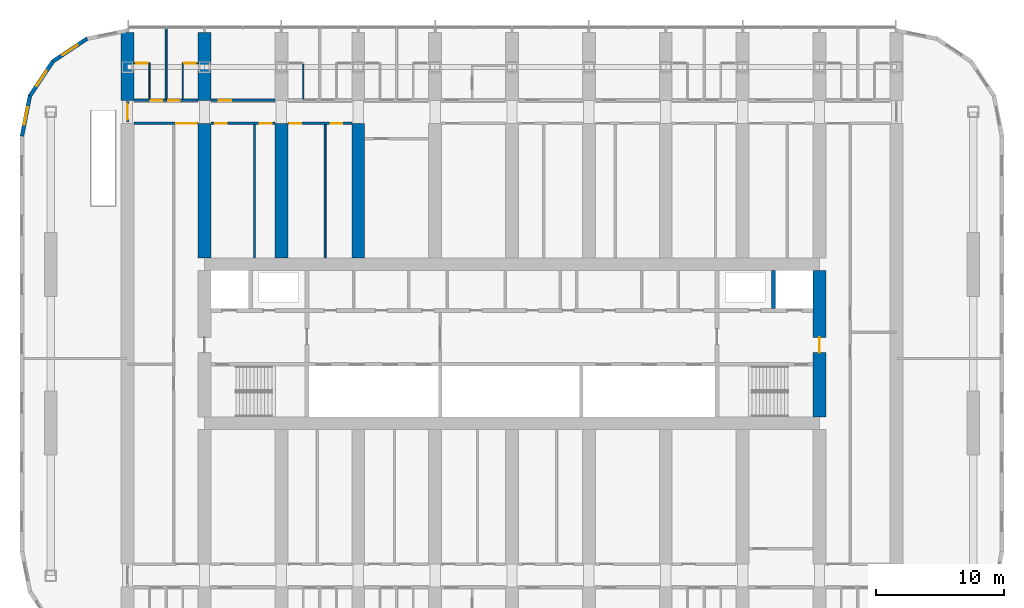
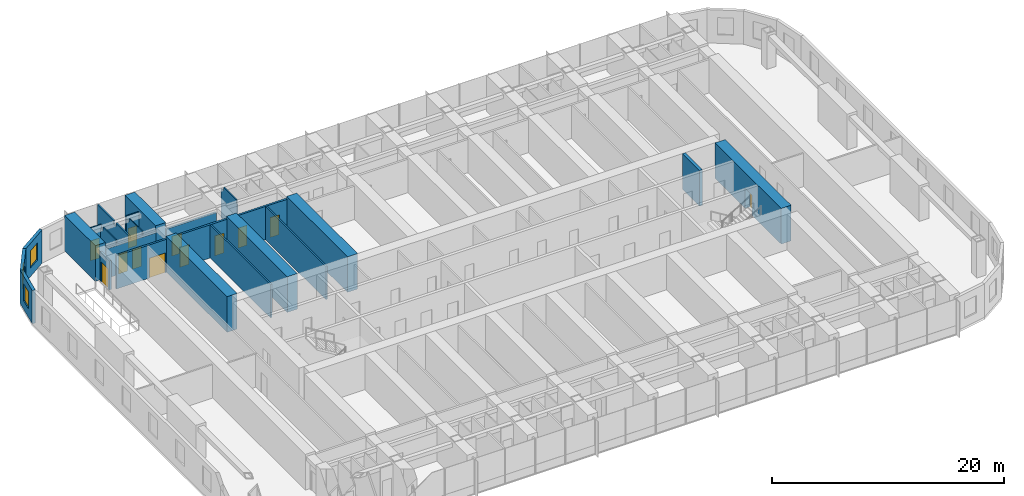
# One storey, part 14 of 23: 24 walls, 12 doors, 3 windows, 15 openings.
"""IFC4 building model written with IfcOpenShell, lengths in metres."""

from ifc_helpers import new_model, si_unit, direction, frame, frame_2d, origin, place, context, subcontext, project, spatial, polyline, rectangle, outline, extrude, material, layer, layer_set, type_object, element, fill, save


model = new_model("IFC4")

# Units and contexts
model_context = context("Model", 3, precision=1e-05, world=origin(), true_north=direction((0.0, 1.0)))
body_context = subcontext(model_context, "Body", "Model", "MODEL_VIEW")
ifc_project = project(units=[si_unit("LENGTHUNIT", "METRE"), si_unit("AREAUNIT", "SQUARE_METRE"), si_unit("VOLUMEUNIT", "CUBIC_METRE"), si_unit("PLANEANGLEUNIT", "RADIAN"), si_unit("MASSUNIT", "GRAM", prefix="KILO")], contexts=[model_context])

# Site, building, storey
site_placement = place(None, origin())
site = spatial("IfcSite", under=ifc_project, at=site_placement, CompositionType="ELEMENT")
building_placement = place(site_placement, origin())
building = spatial("IfcBuilding", under=site, at=building_placement, Name="Orbita Commons", CompositionType="ELEMENT")
storey_placement = place(building_placement, frame((0.0, 0.0, 42.699951171875)))
storey = spatial("IfcBuildingStorey", under=building, at=storey_placement, Name="L10", CompositionType="ELEMENT", Elevation=42.699951171875)

# Wall
ifc_material_1 = material(Name="Concrete C50/60", Category="concrete")
ifc_layer_1 = layer(ifc_material_1, 0.300048828125)
ifc_layer_set_1 = layer_set([ifc_layer_1], Name="Concrete C50/60")
wall_type_1 = type_object("IfcWallType", Name="Core inner wall 300 C50/60", PredefinedType="SHEAR", material=ifc_layer_set_1)
wall_1_placement = place(storey_placement, frame((62.39990234375, 34.75, 0.0), z_axis=(0.0, 0.0, 1.0), x_axis=(0.0, 1.0, 0.0)))
element("IfcWall", 1, at=wall_1_placement, inside=storey, type_object=wall_type_1, Name="Firefighting lift FL2 shaft wall L10", PredefinedType="SHEAR", context=body_context, shape_type="SweptSolid", body=[
    extrude(rectangle(XDim=2.949951171875, YDim=0.300048828125, at=frame_2d((1.47509765625, 0.0))), origin(), (0.0, 0.0, 1.0), 3.75),
])

# Wall, opening, door
ifc_material_2 = material(Name="Concrete C50/60", Category="concrete")
ifc_layer_2 = layer(ifc_material_2, 1.0)
ifc_layer_set_2 = layer_set([ifc_layer_2], Name="Concrete C50/60")
wall_type_2 = type_object("IfcWallType", Name="Core wall 1000 C50/60", PredefinedType="SHEAR", material=ifc_layer_set_2)
wall_2_placement = place(storey_placement, frame((66.0, 26.300048828125, 0.0), z_axis=(0.0, 0.0, 1.0), x_axis=(0.0, 1.0, 0.0)))
wall_2 = element("IfcWall", 2, at=wall_2_placement, inside=storey, type_object=wall_type_2, Name="Core end wall east L10", PredefinedType="SHEAR", context=body_context, shape_type="SweptSolid", body=[
    extrude(rectangle(XDim=11.39990234375, YDim=1.0, at=frame_2d((5.699951171875, 0.0))), origin(), (0.0, 0.0, 1.0), 3.75),
])
opening_1_placement = place(wall_2_placement, frame((5.0, 0.0, 0.0)))
opening_1 = element("IfcOpeningElement", 3, at=opening_1_placement, cuts=wall_2, Name="Opening D01", PredefinedType="OPENING", context=body_context, shape_type="SweptSolid", body=[
    extrude(rectangle(XDim=1.199951171875, YDim=2.10009765625, at=frame_2d((0.60009765625, 1.050048828125))), frame((0.0, 0.510009765625, 0.0), z_axis=(0.0, -1.0, 0.0), x_axis=(1.0, 0.0, 0.0)), (0.0, 0.0, 1.0), 1.02001953125),
])
ifc_material_3 = material(Name="Steel-faced fire door leaf", Category="steel")
door_type_1 = type_object("IfcDoorType", Name="Fire door 90 min 1200x2100", OperationType="SINGLE_SWING_LEFT", PredefinedType="DOOR", material=ifc_material_3)
door_1_placement = place(opening_1_placement, origin())
door_1 = element("IfcDoor", 4, at=door_1_placement, inside=storey, type_object=door_type_1, Name="Firefighting lobby east door", OperationType="SINGLE_SWING_LEFT", OverallHeight=2.10009765625, OverallWidth=1.199951171875, PredefinedType="DOOR", context=body_context, shape_type="SweptSolid", body=[
    extrude(rectangle(XDim=1.199951171875, YDim=2.10009765625, at=frame_2d((0.60009765625, 1.050048828125))), frame((0.0, 0.02490234375, 0.0), z_axis=(0.0, -1.0, 0.0), x_axis=(1.0, 0.0, 0.0)), (0.0, 0.0, 1.0), 0.050048828125),
])
fill(opening_1, door_1)

# Wall, openings, doors
ifc_material_4 = material(Name="Concrete blockwork", Category="masonry")
ifc_layer_3 = layer(ifc_material_4, 0.199951171875)
ifc_layer_set_3 = layer_set([ifc_layer_3], Name="Concrete blockwork")
wall_type_3 = type_object("IfcWallType", Name="Corridor wall 200 blockwork", PredefinedType="SOLIDWALL", material=ifc_layer_set_3)
wall_3_placement = place(storey_placement, frame((12.5, 51.0, 0.0), z_axis=(0.0, 0.0, 1.0), x_axis=(1.0, 0.0, 0.0)))
wall_3 = element("IfcWall", 5, at=wall_3_placement, inside=storey, type_object=wall_type_3, Name="Corridor wall 200 blockwork L10", PredefinedType="SOLIDWALL", context=body_context, shape_type="SweptSolid", body=[
    extrude(outline(polyline([(0.0, 0.0), (5.0, 0.0), (5.0, 3.10009765625), (0.0, 3.10009765625), (0.0, 0.0)])), frame((0.0, 0.10009765625, 0.0), z_axis=(0.0, -1.0, 0.0), x_axis=(1.0, 0.0, 0.0)), (0.0, 0.0, 1.0), 0.199951171875),
])
opening_2_placement = place(wall_3_placement, frame((1.300048828125, 0.0, 0.0)))
opening_2 = element("IfcOpeningElement", 6, at=opening_2_placement, cuts=wall_3, Name="Opening D11", PredefinedType="OPENING", context=body_context, shape_type="SweptSolid", body=[
    extrude(rectangle(XDim=0.89990234375, YDim=2.10009765625, at=frame_2d((0.449951171875, 1.050048828125))), frame((0.0, 0.10986328125, 0.0), z_axis=(0.0, -1.0, 0.0), x_axis=(1.0, 0.0, 0.0)), (0.0, 0.0, 1.0), 0.219970703125),
])
opening_3_placement = place(wall_3_placement, frame((2.675048828125, 0.0, 0.0)))
opening_3 = element("IfcOpeningElement", 7, at=opening_3_placement, cuts=wall_3, Name="Opening D11", PredefinedType="OPENING", context=body_context, shape_type="SweptSolid", body=[
    extrude(rectangle(XDim=0.89990234375, YDim=2.10009765625, at=frame_2d((0.449951171875, 1.050048828125))), frame((0.0, 0.10986328125, 0.0), z_axis=(0.0, -1.0, 0.0), x_axis=(1.0, 0.0, 0.0)), (0.0, 0.0, 1.0), 0.219970703125),
])
ifc_material_5 = material(Name="Steel-faced fire door leaf", Category="steel")
door_type_2 = type_object("IfcDoorType", Name="Corridor door 20 min 900x2100", OperationType="SINGLE_SWING_LEFT", PredefinedType="DOOR", material=ifc_material_5)
door_2_placement = place(opening_2_placement, origin())
door_2 = element("IfcDoor", 8, at=door_2_placement, inside=storey, type_object=door_type_2, Name="House bedroom L10-N00 door", OperationType="SINGLE_SWING_LEFT", OverallHeight=2.10009765625, OverallWidth=0.89990234375, PredefinedType="DOOR", context=body_context, shape_type="SweptSolid", body=[
    extrude(rectangle(XDim=0.89990234375, YDim=2.10009765625, at=frame_2d((0.449951171875, 1.050048828125))), frame((0.0, 0.02490234375, 0.0), z_axis=(0.0, -1.0, 0.0), x_axis=(1.0, 0.0, 0.0)), (0.0, 0.0, 1.0), 0.050048828125),
])
fill(opening_2, door_2)
door_3_placement = place(opening_3_placement, origin())
door_3 = element("IfcDoor", 9, at=door_3_placement, inside=storey, type_object=door_type_2, Name="House bedroom L10-N01 door", OperationType="SINGLE_SWING_LEFT", OverallHeight=2.10009765625, OverallWidth=0.89990234375, PredefinedType="DOOR", context=body_context, shape_type="SweptSolid", body=[
    extrude(rectangle(XDim=0.89990234375, YDim=2.10009765625, at=frame_2d((0.449951171875, 1.050048828125))), frame((0.0, 0.02490234375, 0.0), z_axis=(0.0, -1.0, 0.0), x_axis=(1.0, 0.0, 0.0)), (0.0, 0.0, 1.0), 0.050048828125),
])
fill(opening_3, door_3)

# Wall, opening, door
wall_4_placement = place(storey_placement, frame((18.5, 51.0, 0.0), z_axis=(0.0, 0.0, 1.0), x_axis=(1.0, 0.0, 0.0)))
wall_4 = element("IfcWall", 10, at=wall_4_placement, inside=storey, type_object=wall_type_3, Name="Corridor wall 200 blockwork L10", PredefinedType="SOLIDWALL", context=body_context, shape_type="SweptSolid", body=[
    extrude(outline(polyline([(0.0, 0.0), (5.0, 0.0), (5.0, 3.10009765625), (0.0, 3.10009765625), (0.0, 0.0)])), frame((0.0, 0.10009765625, 0.0), z_axis=(0.0, -1.0, 0.0), x_axis=(1.0, 0.0, 0.0)), (0.0, 0.0, 1.0), 0.199951171875),
])
opening_4_placement = place(wall_4_placement, frame((0.60009765625, 0.0, 0.0)))
opening_4 = element("IfcOpeningElement", 11, at=opening_4_placement, cuts=wall_4, Name="Opening D06", PredefinedType="OPENING", context=body_context, shape_type="SweptSolid", body=[
    extrude(rectangle(XDim=1.0, YDim=2.10009765625, at=frame_2d((0.5, 1.050048828125))), frame((0.0, 0.10986328125, 0.0), z_axis=(0.0, -1.0, 0.0), x_axis=(1.0, 0.0, 0.0)), (0.0, 0.0, 1.0), 0.219970703125),
])
ifc_material_6 = material(Name="Steel-faced fire door leaf", Category="steel")
door_type_3 = type_object("IfcDoorType", Name="Corridor door 20 min 1000x2100", OperationType="SINGLE_SWING_LEFT", PredefinedType="DOOR", material=ifc_material_6)
door_4_placement = place(opening_4_placement, origin())
door_4 = element("IfcDoor", 12, at=door_4_placement, inside=storey, type_object=door_type_3, Name="House common room L10-N02 door", OperationType="SINGLE_SWING_LEFT", OverallHeight=2.10009765625, OverallWidth=1.0, PredefinedType="DOOR", context=body_context, shape_type="SweptSolid", body=[
    extrude(rectangle(XDim=1.0, YDim=2.10009765625, at=frame_2d((0.5, 1.050048828125))), frame((0.0, 0.02490234375, 0.0), z_axis=(0.0, -1.0, 0.0), x_axis=(1.0, 0.0, 0.0)), (0.0, 0.0, 1.0), 0.050048828125),
])
fill(opening_4, door_4)

wall_5_placement = place(storey_placement, frame((12.0, 49.300048828125, 0.0), z_axis=(0.0, 0.0, 1.0), x_axis=(0.0, 1.0, 0.0)))
wall_5 = element("IfcWall", 13, at=wall_5_placement, inside=storey, type_object=wall_type_3, Name="Corridor wall 200 blockwork L10", PredefinedType="SOLIDWALL", context=body_context, shape_type="SweptSolid", body=[
    extrude(outline(polyline([(0.0, 0.0), (1.599853515625, 0.0), (1.60009765625, 3.050048828125), (0.0, 3.050048828125), (0.0, 0.0)])), frame((0.0, 0.10009765625, 0.0), z_axis=(0.0, -1.0, 0.0), x_axis=(1.0, 0.0, 0.0)), (0.0, 0.0, 1.0), 0.199951171875),
])
opening_5_placement = place(wall_5_placement, frame((0.199951171875, 0.0, 0.0)))
opening_5 = element("IfcOpeningElement", 14, at=opening_5_placement, cuts=wall_5, Name="Opening D12", PredefinedType="OPENING", context=body_context, shape_type="SweptSolid", body=[
    extrude(rectangle(XDim=1.199951171875, YDim=2.10009765625, at=frame_2d((0.60009765625, 1.050048828125))), frame((0.0, 0.10986328125, 0.0), z_axis=(0.0, -1.0, 0.0), x_axis=(1.0, 0.0, 0.0)), (0.0, 0.0, 1.0), 0.219970703125),
])
ifc_material_7 = material(Name="Steel-faced fire door leaf", Category="steel")
door_type_4 = type_object("IfcDoorType", Name="Double corridor door 20 min 1200x2100", OperationType="DOUBLE_DOOR_SINGLE_SWING", PredefinedType="DOOR", material=ifc_material_7)
door_5_placement = place(opening_5_placement, origin())
door_5 = element("IfcDoor", 15, at=door_5_placement, inside=storey, type_object=door_type_4, Name="Lounge doors", OperationType="DOUBLE_DOOR_SINGLE_SWING", OverallHeight=2.10009765625, OverallWidth=1.199951171875, PredefinedType="DOOR", context=body_context, shape_type="SweptSolid", body=[
    extrude(rectangle(XDim=1.199951171875, YDim=2.10009765625, at=frame_2d((0.60009765625, 1.050048828125))), frame((0.0, 0.02490234375, 0.0), z_axis=(0.0, -1.0, 0.0), x_axis=(1.0, 0.0, 0.0)), (0.0, 0.0, 1.0), 0.050048828125),
])
fill(opening_5, door_5)

ifc_material_8 = material(Name="Hollow concrete block 200", Category="concrete")
ifc_layer_4 = layer(ifc_material_8, 0.199951171875)
ifc_layer_set_4 = layer_set([ifc_layer_4], Name="Hollow concrete block 200")
wall_type_4 = type_object("IfcWallType", Name="Corridor wall 200 hollow concrete block", PredefinedType="SOLIDWALL", material=ifc_layer_set_4)
wall_6_placement = place(storey_placement, frame((12.5, 49.199951171875, 0.0), z_axis=(0.0, 0.0, 1.0), x_axis=(1.0, 0.0, 0.0)))
wall_6 = element("IfcWall", 16, at=wall_6_placement, inside=storey, type_object=wall_type_4, Name="Corridor wall 200 hollow concrete block L10", PredefinedType="SOLIDWALL", context=body_context, shape_type="SweptSolid", body=[
    extrude(rectangle(XDim=5.0, YDim=0.199951171875, at=frame_2d((2.5, 0.0))), origin(), (0.0, 0.0, 1.0), 3.5),
])
opening_6_placement = place(wall_6_placement, frame((3.300048828125, 0.0, 0.0)))
opening_6 = element("IfcOpeningElement", 17, at=opening_6_placement, cuts=wall_6, Name="Opening D10", PredefinedType="OPENING", context=body_context, shape_type="SweptSolid", body=[
    extrude(rectangle(XDim=1.60009765625, YDim=2.10009765625, at=frame_2d((0.800048828125, 1.050048828125))), frame((0.0, 0.10986328125, 0.0), z_axis=(0.0, -1.0, 0.0), x_axis=(1.0, 0.0, 0.0)), (0.0, 0.0, 1.0), 0.219970703125),
])
ifc_material_9 = material(Name="Steel-faced fire door leaf", Category="steel")
door_type_5 = type_object("IfcDoorType", Name="Double corridor door 20 min 1600x2100", OperationType="DOUBLE_DOOR_SINGLE_SWING", PredefinedType="DOOR", material=ifc_material_9)
door_6_placement = place(opening_6_placement, origin())
door_6 = element("IfcDoor", 18, at=door_6_placement, inside=storey, type_object=door_type_5, Name="Cross corridor doors", OperationType="DOUBLE_DOOR_SINGLE_SWING", OverallHeight=2.10009765625, OverallWidth=1.60009765625, PredefinedType="DOOR", context=body_context, shape_type="SweptSolid", body=[
    extrude(rectangle(XDim=1.60009765625, YDim=2.10009765625, at=frame_2d((0.800048828125, 1.050048828125))), frame((0.0, 0.02490234375, 0.0), z_axis=(0.0, -1.0, 0.0), x_axis=(1.0, 0.0, 0.0)), (0.0, 0.0, 1.0), 0.050048828125),
])
fill(opening_6, door_6)

# Wall, openings, doors
wall_7_placement = place(storey_placement, frame((18.5, 49.199951171875, 0.0), z_axis=(0.0, 0.0, 1.0), x_axis=(1.0, 0.0, 0.0)))
wall_7 = element("IfcWall", 19, at=wall_7_placement, inside=storey, type_object=wall_type_4, Name="Corridor wall 200 hollow concrete block L10", PredefinedType="SOLIDWALL", context=body_context, shape_type="SweptSolid", body=[
    extrude(rectangle(XDim=5.0, YDim=0.199951171875, at=frame_2d((2.5, 0.0))), origin(), (0.0, 0.0, 1.0), 3.5),
])
opening_7_placement = place(wall_7_placement, frame((0.35009765625, 0.0, 0.0)))
opening_7 = element("IfcOpeningElement", 20, at=opening_7_placement, cuts=wall_7, Name="Opening D11", PredefinedType="OPENING", context=body_context, shape_type="SweptSolid", body=[
    extrude(rectangle(XDim=0.89990234375, YDim=2.10009765625, at=frame_2d((0.449951171875, 1.050048828125))), frame((0.0, 0.10986328125, 0.0), z_axis=(0.0, -1.0, 0.0), x_axis=(1.0, 0.0, 0.0)), (0.0, 0.0, 1.0), 0.219970703125),
])
opening_8_placement = place(wall_7_placement, frame((3.830078125, 0.0, 0.0)))
opening_8 = element("IfcOpeningElement", 21, at=opening_8_placement, cuts=wall_7, Name="Opening D11", PredefinedType="OPENING", context=body_context, shape_type="SweptSolid", body=[
    extrude(rectangle(XDim=0.89990234375, YDim=2.10009765625, at=frame_2d((0.449951171875, 1.050048828125))), frame((0.0, 0.10986328125, 0.0), z_axis=(0.0, -1.0, 0.0), x_axis=(1.0, 0.0, 0.0)), (0.0, 0.0, 1.0), 0.219970703125),
])
door_7_placement = place(opening_7_placement, origin())
door_7 = element("IfcDoor", 22, at=door_7_placement, inside=storey, type_object=door_type_2, Name="Storage lockers L10-BDN18 door", OperationType="SINGLE_SWING_LEFT", OverallHeight=2.10009765625, OverallWidth=0.89990234375, PredefinedType="DOOR", context=body_context, shape_type="SweptSolid", body=[
    extrude(rectangle(XDim=0.89990234375, YDim=2.10009765625, at=frame_2d((0.449951171875, 1.050048828125))), frame((0.0, 0.02490234375, 0.0), z_axis=(0.0, -1.0, 0.0), x_axis=(1.0, 0.0, 0.0)), (0.0, 0.0, 1.0), 0.050048828125),
])
fill(opening_7, door_7)
door_8_placement = place(opening_8_placement, origin())
door_8 = element("IfcDoor", 23, at=door_8_placement, inside=storey, type_object=door_type_2, Name="Battery and UPS room L10-BDN18n door", OperationType="SINGLE_SWING_LEFT", OverallHeight=2.10009765625, OverallWidth=0.89990234375, PredefinedType="DOOR", context=body_context, shape_type="SweptSolid", body=[
    extrude(rectangle(XDim=0.89990234375, YDim=2.10009765625, at=frame_2d((0.449951171875, 1.050048828125))), frame((0.0, 0.02490234375, 0.0), z_axis=(0.0, -1.0, 0.0), x_axis=(1.0, 0.0, 0.0)), (0.0, 0.0, 1.0), 0.050048828125),
])
fill(opening_8, door_8)

wall_8_placement = place(storey_placement, frame((24.5, 49.199951171875, 0.0), z_axis=(0.0, 0.0, 1.0), x_axis=(1.0, 0.0, 0.0)))
wall_8 = element("IfcWall", 24, at=wall_8_placement, inside=storey, type_object=wall_type_4, Name="Corridor wall 200 hollow concrete block L10", PredefinedType="SOLIDWALL", context=body_context, shape_type="SweptSolid", body=[
    extrude(rectangle(XDim=5.0, YDim=0.199951171875, at=frame_2d((2.5, 0.0))), origin(), (0.0, 0.0, 1.0), 3.5),
])
opening_9_placement = place(wall_8_placement, frame((0.14990234375, 0.0, 0.0)))
opening_9 = element("IfcOpeningElement", 25, at=opening_9_placement, cuts=wall_8, Name="Opening D11", PredefinedType="OPENING", context=body_context, shape_type="SweptSolid", body=[
    extrude(rectangle(XDim=0.89990234375, YDim=2.10009765625, at=frame_2d((0.449951171875, 1.050048828125))), frame((0.0, 0.10986328125, 0.0), z_axis=(0.0, -1.0, 0.0), x_axis=(1.0, 0.0, 0.0)), (0.0, 0.0, 1.0), 0.219970703125),
])
opening_10_placement = place(wall_8_placement, frame((3.3349609375, 0.0, 0.0)))
opening_10 = element("IfcOpeningElement", 26, at=opening_10_placement, cuts=wall_8, Name="Opening D11", PredefinedType="OPENING", context=body_context, shape_type="SweptSolid", body=[
    extrude(rectangle(XDim=0.89990234375, YDim=2.10009765625, at=frame_2d((0.449951171875, 1.050048828125))), frame((0.0, 0.10986328125, 0.0), z_axis=(0.0, -1.0, 0.0), x_axis=(1.0, 0.0, 0.0)), (0.0, 0.0, 1.0), 0.219970703125),
])
door_9_placement = place(opening_9_placement, origin())
door_9 = element("IfcDoor", 27, at=door_9_placement, inside=storey, type_object=door_type_2, Name="Ventilation plant room south L10-BDN24 door", OperationType="SINGLE_SWING_LEFT", OverallHeight=2.10009765625, OverallWidth=0.89990234375, PredefinedType="DOOR", context=body_context, shape_type="SweptSolid", body=[
    extrude(rectangle(XDim=0.89990234375, YDim=2.10009765625, at=frame_2d((0.449951171875, 1.050048828125))), frame((0.0, 0.02490234375, 0.0), z_axis=(0.0, -1.0, 0.0), x_axis=(1.0, 0.0, 0.0)), (0.0, 0.0, 1.0), 0.050048828125),
])
fill(opening_9, door_9)
door_10_placement = place(opening_10_placement, origin())
door_10 = element("IfcDoor", 28, at=door_10_placement, inside=storey, type_object=door_type_2, Name="Sprinkler valve room L10-BDN24n door", OperationType="SINGLE_SWING_LEFT", OverallHeight=2.10009765625, OverallWidth=0.89990234375, PredefinedType="DOOR", context=body_context, shape_type="SweptSolid", body=[
    extrude(rectangle(XDim=0.89990234375, YDim=2.10009765625, at=frame_2d((0.449951171875, 1.050048828125))), frame((0.0, 0.02490234375, 0.0), z_axis=(0.0, -1.0, 0.0), x_axis=(1.0, 0.0, 0.0)), (0.0, 0.0, 1.0), 0.050048828125),
])
fill(opening_10, door_10)

# Walls
ifc_material_10 = material(Name="Concrete C50/60", Category="concrete")
ifc_layer_5 = layer(ifc_material_10, 1.0)
ifc_layer_set_5 = layer_set([ifc_layer_5], Name="Concrete C50/60")
wall_type_5 = type_object("IfcWallType", Name="Cross wall 1000 C50/60", PredefinedType="SHEAR", material=ifc_layer_set_5)
for number, where, z_axis, x_axis, name in (
    (29, (12.0, 51.0, 0.0), (0.0, 0.0, 1.0), (0.0, 1.0, 0.0), "Cross wall 3 north outer L10"),
    (30, (18.0, 51.0, 0.0), (0.0, 0.0, 1.0), (0.0, 1.0, 0.0), "Cross wall 4 north outer L10"),
):
    element("IfcWall", number, at=place(storey_placement, frame(where, z_axis=z_axis, x_axis=x_axis)), inside=storey, type_object=wall_type_5, Name=name, PredefinedType="SHEAR", context=body_context, shape_type="SweptSolid", body=[
        extrude(rectangle(XDim=5.300048828125, YDim=1.0, at=frame_2d((2.64990234375, 0.0))), origin(), (0.0, 0.0, 1.0), 3.75),
    ])
for number, where, z_axis, x_axis, name in (
    (31, (18.0, 38.699951171875, 0.0), (0.0, 0.0, 1.0), (0.0, 1.0, 0.0), "Cross wall 4 north inner L10"),
    (32, (24.0, 38.699951171875, 0.0), (0.0, 0.0, 1.0), (0.0, 1.0, 0.0), "Cross wall 5 north inner L10"),
    (33, (30.0, 38.699951171875, 0.0), (0.0, 0.0, 1.0), (0.0, 1.0, 0.0), "Cross wall 6 north inner L10"),
):
    element("IfcWall", number, at=place(storey_placement, frame(where, z_axis=z_axis, x_axis=x_axis)), inside=storey, type_object=wall_type_5, Name=name, PredefinedType="SHEAR", context=body_context, shape_type="SweptSolid", body=[
        extrude(rectangle(XDim=10.5, YDim=1.0, at=frame_2d((5.25, 0.0))), origin(), (0.0, 0.0, 1.0), 3.75),
    ])

# Wall, opening, door
ifc_material_11 = material(Name="Moisture-resistant plasterboard on steel studs", Category="steel")
ifc_layer_6 = layer(ifc_material_11, 0.10009765625)
ifc_layer_set_6 = layer_set([ifc_layer_6], Name="Moisture-resistant plasterboard on steel studs")
wall_type_6 = type_object("IfcWallType", Name="En-suite partition 100", PredefinedType="PARTITIONING", material=ifc_layer_set_6)
wall_9_placement = place(storey_placement, frame((12.449951171875, 53.89990234375, 0.0), z_axis=(0.0, 0.0, 1.0), x_axis=(1.0, 0.0, 0.0)))
wall_9 = element("IfcWall", 34, at=wall_9_placement, inside=storey, type_object=wall_type_6, Name="En-suite partition 100 L10", PredefinedType="PARTITIONING", context=body_context, shape_type="SweptSolid", body=[
    extrude(rectangle(XDim=1.300048828125, YDim=0.10009765625, at=frame_2d((0.64990234375, 0.0))), origin(), (0.0, 0.0, 1.0), 3.5),
])
opening_11_placement = place(wall_9_placement, frame((0.22509765625, 0.0, 0.0)))
opening_11 = element("IfcOpeningElement", 35, at=opening_11_placement, cuts=wall_9, Name="Opening D09", PredefinedType="OPENING", context=body_context, shape_type="SweptSolid", body=[
    extrude(rectangle(XDim=0.89990234375, YDim=2.10009765625, at=frame_2d((0.449951171875, 1.050048828125))), frame((0.0, 0.06005859375, 0.0), z_axis=(0.0, -1.0, 0.0), x_axis=(1.0, 0.0, 0.0)), (0.0, 0.0, 1.0), 0.1201171875),
])
ifc_material_12 = material(Name="Laminated timber door leaf", Category="wood")
door_type_6 = type_object("IfcDoorType", Name="En-suite door 900x2100", OperationType="SINGLE_SWING_RIGHT", PredefinedType="DOOR", material=ifc_material_12)
door_11_placement = place(opening_11_placement, origin())
door_11 = element("IfcDoor", 36, at=door_11_placement, inside=storey, type_object=door_type_6, Name="En-suite L10-N00 door", OperationType="SINGLE_SWING_RIGHT", OverallHeight=2.10009765625, OverallWidth=0.89990234375, PredefinedType="DOOR", context=body_context, shape_type="SweptSolid", body=[
    extrude(rectangle(XDim=0.89990234375, YDim=2.10009765625, at=frame_2d((0.449951171875, 1.050048828125))), frame((0.0, 0.02490234375, 0.0), z_axis=(0.0, -1.0, 0.0), x_axis=(1.0, 0.0, 0.0)), (0.0, 0.0, 1.0), 0.050048828125),
])
fill(opening_11, door_11)

# Wall
wall_10_placement = place(storey_placement, frame((13.699951171875, 53.85009765625, 0.0), z_axis=(0.0, 0.0, 1.0), x_axis=(0.0, -1.0, 0.0)))
element("IfcWall", 37, at=wall_10_placement, inside=storey, type_object=wall_type_6, Name="En-suite partition 100 L10", PredefinedType="PARTITIONING", context=body_context, shape_type="SweptSolid", body=[
    extrude(outline(polyline([(0.0, 0.0), (2.75, 0.0), (2.75, 3.10009765625), (2.701904296875, 3.10009765625), (2.699951171875, 3.5), (0.451904296875, 3.5), (0.449951171875, 3.10009765625), (0.0, 3.10009765625), (0.0, 0.0)])), frame((0.0, 0.050048828125, 0.0), z_axis=(0.0, -1.0, 0.0), x_axis=(1.0, 0.0, 0.0)), (0.0, 0.0, 1.0), 0.10009765625),
])

# Wall, opening, door
wall_11_placement = place(storey_placement, frame((16.25, 53.89990234375, 0.0), z_axis=(0.0, 0.0, 1.0), x_axis=(1.0, 0.0, 0.0)))
wall_11 = element("IfcWall", 38, at=wall_11_placement, inside=storey, type_object=wall_type_6, Name="En-suite partition 100 L10", PredefinedType="PARTITIONING", context=body_context, shape_type="SweptSolid", body=[
    extrude(rectangle(XDim=1.300048828125, YDim=0.10009765625, at=frame_2d((0.64990234375, 0.0))), origin(), (0.0, 0.0, 1.0), 3.5),
])
opening_12_placement = place(wall_11_placement, frame((0.175048828125, 0.0, 0.0)))
opening_12 = element("IfcOpeningElement", 39, at=opening_12_placement, cuts=wall_11, Name="Opening D09", PredefinedType="OPENING", context=body_context, shape_type="SweptSolid", body=[
    extrude(rectangle(XDim=0.89990234375, YDim=2.10009765625, at=frame_2d((0.449951171875, 1.050048828125))), frame((0.0, 0.06005859375, 0.0), z_axis=(0.0, -1.0, 0.0), x_axis=(1.0, 0.0, 0.0)), (0.0, 0.0, 1.0), 0.1201171875),
])
door_12_placement = place(opening_12_placement, origin())
door_12 = element("IfcDoor", 40, at=door_12_placement, inside=storey, type_object=door_type_6, Name="En-suite L10-N01 door", OperationType="SINGLE_SWING_RIGHT", OverallHeight=2.10009765625, OverallWidth=0.89990234375, PredefinedType="DOOR", context=body_context, shape_type="SweptSolid", body=[
    extrude(rectangle(XDim=0.89990234375, YDim=2.10009765625, at=frame_2d((0.449951171875, 1.050048828125))), frame((0.0, 0.02490234375, 0.0), z_axis=(0.0, -1.0, 0.0), x_axis=(1.0, 0.0, 0.0)), (0.0, 0.0, 1.0), 0.050048828125),
])
fill(opening_12, door_12)

# Walls
for number, where, z_axis, x_axis, name in (
    (41, (16.300048828125, 53.85009765625, 0.0), (0.0, 0.0, 1.0), (0.0, -1.0, 0.0), "En-suite partition 100 L10"),
    (42, (25.699951171875, 53.85009765625, 0.0), (0.0, 0.0, 1.0), (0.0, -1.0, 0.0), "En-suite partition 100 L10"),
):
    element("IfcWall", number, at=place(storey_placement, frame(where, z_axis=z_axis, x_axis=x_axis)), inside=storey, type_object=wall_type_6, Name=name, PredefinedType="PARTITIONING", context=body_context, shape_type="SweptSolid", body=[
        extrude(outline(polyline([(0.0, 0.0), (2.75, 0.0), (2.75, 3.10009765625), (2.701904296875, 3.10009765625), (2.699951171875, 3.5), (0.451904296875, 3.5), (0.449951171875, 3.10009765625), (0.0, 3.10009765625), (0.0, 0.0)])), frame((0.0, 0.050048828125, 0.0), z_axis=(0.0, -1.0, 0.0), x_axis=(1.0, 0.0, 0.0)), (0.0, 0.0, 1.0), 0.10009765625),
    ])
ifc_material_13 = material(Name="Gypsum plasterboard on steel studs", Category="steel")
ifc_layer_7 = layer(ifc_material_13, 0.14990234375)
ifc_layer_set_7 = layer_set([ifc_layer_7], Name="Gypsum plasterboard on steel studs")
wall_type_7 = type_object("IfcWallType", Name="Partition 150 plasterboard", PredefinedType="PARTITIONING", material=ifc_layer_set_7)
for number, where, z_axis, x_axis, name in (
    (43, (21.905029296875, 38.699951171875, 0.0), (0.0, 0.0, 1.0), (0.0, 1.0, 0.0), "Partition 150 plasterboard L10"),
    (44, (27.409912109375, 38.699951171875, 0.0), (0.0, 0.0, 1.0), (0.0, 1.0, 0.0), "Partition 150 plasterboard L10"),
):
    element("IfcWall", number, at=place(storey_placement, frame(where, z_axis=z_axis, x_axis=x_axis)), inside=storey, type_object=wall_type_7, Name=name, PredefinedType="PARTITIONING", context=body_context, shape_type="SweptSolid", body=[
        extrude(rectangle(XDim=10.400146484375, YDim=0.14990234375, at=frame_2d((5.2001953125, 0.0))), origin(), (0.0, 0.0, 1.0), 3.5),
    ])
ifc_material_14 = material(Name="Gypsum plasterboard on steel studs", Category="steel")
ifc_layer_8 = layer(ifc_material_14, 0.14990234375)
ifc_layer_set_8 = layer_set([ifc_layer_8], Name="Gypsum plasterboard on steel studs")
wall_type_8 = type_object("IfcWallType", Name="Party wall 150 plasterboard", PredefinedType="PARTITIONING", material=ifc_layer_set_8)
wall_12_placement = place(storey_placement, frame((15.0, 56.590087890625, 0.0), z_axis=(0.0, 0.0, 1.0), x_axis=(0.0, -1.0, 0.0)))
element("IfcWall", 45, at=wall_12_placement, inside=storey, type_object=wall_type_8, Name="Party wall 150 plasterboard L10", PredefinedType="PARTITIONING", context=body_context, shape_type="SweptSolid", body=[
    extrude(outline(polyline([(0.0, 0.0), (5.489990234375, 0.0), (5.489990234375, 3.10009765625), (5.44189453125, 3.10009765625), (5.43994140625, 3.5), (3.19189453125, 3.5), (3.18994140625, 3.10009765625), (2.7919921875, 3.10009765625), (2.7900390625, 3.5), (0.0, 3.5), (0.0, 0.0)])), frame((0.0, 0.074951171875, 0.0), z_axis=(0.0, -1.0, 0.0), x_axis=(1.0, 0.0, 0.0)), (0.0, 0.0, 1.0), 0.14990234375),
])

# Wall, opening, window
ifc_material_15 = material(Name="Precast concrete C40/50, white board-marked finish", Category="concrete")
ifc_layer_9 = layer(ifc_material_15, 0.300048828125)
ifc_layer_set_9 = layer_set([ifc_layer_9], Name="Precast concrete C40/50, white board-marked finish")
wall_type_9 = type_object("IfcWallType", Name="Precast concrete end shield 300", PredefinedType="SOLIDWALL", material=ifc_layer_set_9)
wall_13_placement = place(storey_placement, frame((8.843017578125, 55.822021484375, 0.0), z_axis=(0.0, 0.0, 1.0), x_axis=(-0.831478105043, -0.555557522525, 0.0)))
wall_13 = element("IfcWall", 46, at=wall_13_placement, inside=storey, type_object=wall_type_9, Name="End shield NW chord 2 L10", PredefinedType="SOLIDWALL", context=body_context, shape_type="SweptSolid", body=[
    extrude(outline(polyline([(-0.02978515625, -0.14990234375), (3.248779296875, -0.14990234375), (3.189208984375, 0.14990234375), (0.02978515625, 0.14990234375), (-0.02978515625, -0.14990234375)])), origin(), (0.0, 0.0, 1.0), 3.5),
])
opening_13_placement = place(wall_13_placement, frame((0.909423828125, 0.0, 0.89990234375)))
opening_13 = element("IfcOpeningElement", 47, at=opening_13_placement, cuts=wall_13, Name="Opening W02", PredefinedType="OPENING", context=body_context, shape_type="SweptSolid", body=[
    extrude(rectangle(XDim=1.39990234375, YDim=1.800048828125, at=frame_2d((0.699951171875, 0.89990234375))), frame((0.0, 0.159912109375, 0.0), z_axis=(0.0, -1.0, 0.0), x_axis=(1.0, 0.0, 0.0)), (0.0, 0.0, 1.0), 0.320068359375),
])
ifc_material_16 = material(Name="Aluminium frame, clear double glazing", Category="aluminium")
window_type = type_object("IfcWindowType", Name="Deep-set window 1400x1800", PartitioningType="SINGLE_PANEL", PredefinedType="WINDOW", material=ifc_material_16)
window_1_placement = place(opening_13_placement, origin())
window_1 = element("IfcWindow", 48, at=window_1_placement, inside=storey, type_object=window_type, Name="Window L10-NW1", OverallHeight=1.800048828125, OverallWidth=1.39990234375, PartitioningType="SINGLE_PANEL", PredefinedType="WINDOW", context=body_context, shape_type="SweptSolid", body=[
    extrude(rectangle(XDim=1.39990234375, YDim=1.800048828125, at=frame_2d((0.699951171875, 0.89990234375))), frame((0.0, 0.030029296875, 0.0), z_axis=(0.0, -1.0, 0.0), x_axis=(1.0, 0.0, 0.0)), (0.0, 0.0, 1.0), 0.06005859375),
])
fill(opening_13, window_1)

wall_14_placement = place(storey_placement, frame((6.16650390625, 54.03369140625, 0.0), z_axis=(0.0, 0.0, 1.0), x_axis=(-0.555609954424, -0.831443069936, 0.0)))
wall_14 = element("IfcWall", 49, at=wall_14_placement, inside=storey, type_object=wall_type_9, Name="End shield NW chord 3 L10", PredefinedType="SOLIDWALL", context=body_context, shape_type="SweptSolid", body=[
    extrude(outline(polyline([(-0.02978515625, -0.14990234375), (3.2490234375, -0.14990234375), (3.189453125, 0.14990234375), (0.02978515625, 0.14990234375), (-0.02978515625, -0.14990234375)])), origin(), (0.0, 0.0, 1.0), 3.5),
])
opening_14_placement = place(wall_14_placement, frame((0.909423828125, 0.0, 0.89990234375)))
opening_14 = element("IfcOpeningElement", 50, at=opening_14_placement, cuts=wall_14, Name="Opening W02", PredefinedType="OPENING", context=body_context, shape_type="SweptSolid", body=[
    extrude(rectangle(XDim=1.39990234375, YDim=1.800048828125, at=frame_2d((0.699951171875, 0.89990234375))), frame((0.0, 0.159912109375, 0.0), z_axis=(0.0, -1.0, 0.0), x_axis=(1.0, 0.0, 0.0)), (0.0, 0.0, 1.0), 0.320068359375),
])
window_2_placement = place(opening_14_placement, origin())
window_2 = element("IfcWindow", 51, at=window_2_placement, inside=storey, type_object=window_type, Name="Window L10-NW2", OverallHeight=1.800048828125, OverallWidth=1.39990234375, PartitioningType="SINGLE_PANEL", PredefinedType="WINDOW", context=body_context, shape_type="SweptSolid", body=[
    extrude(rectangle(XDim=1.39990234375, YDim=1.800048828125, at=frame_2d((0.699951171875, 0.89990234375))), frame((0.0, 0.030029296875, 0.0), z_axis=(0.0, -1.0, 0.0), x_axis=(1.0, 0.0, 0.0)), (0.0, 0.0, 1.0), 0.06005859375),
])
fill(opening_14, window_2)

wall_15_placement = place(storey_placement, frame((4.3779296875, 51.357177734375, 0.0), z_axis=(0.0, 0.0, 1.0), x_axis=(-0.195065901187, -0.980790137692, 0.0)))
wall_15 = element("IfcWall", 52, at=wall_15_placement, inside=storey, type_object=wall_type_9, Name="End shield NW chord 4 L10", PredefinedType="SOLIDWALL", context=body_context, shape_type="SweptSolid", body=[
    extrude(outline(polyline([(-0.02978515625, -0.14990234375), (3.23388671875, -0.14990234375), (3.2041015625, 0.14990234375), (0.02978515625, 0.14990234375), (-0.02978515625, -0.14990234375)])), origin(), (0.0, 0.0, 1.0), 3.5),
])
opening_15_placement = place(wall_15_placement, frame((0.909423828125, 0.0, 0.89990234375)))
opening_15 = element("IfcOpeningElement", 53, at=opening_15_placement, cuts=wall_15, Name="Opening W02", PredefinedType="OPENING", context=body_context, shape_type="SweptSolid", body=[
    extrude(rectangle(XDim=1.39990234375, YDim=1.800048828125, at=frame_2d((0.699951171875, 0.89990234375))), frame((0.0, 0.159912109375, 0.0), z_axis=(0.0, -1.0, 0.0), x_axis=(1.0, 0.0, 0.0)), (0.0, 0.0, 1.0), 0.320068359375),
])
window_3_placement = place(opening_15_placement, origin())
window_3 = element("IfcWindow", 54, at=window_3_placement, inside=storey, type_object=window_type, Name="Window L10-NW3", OverallHeight=1.800048828125, OverallWidth=1.39990234375, PartitioningType="SINGLE_PANEL", PredefinedType="WINDOW", context=body_context, shape_type="SweptSolid", body=[
    extrude(rectangle(XDim=1.39990234375, YDim=1.800048828125, at=frame_2d((0.699951171875, 0.89990234375))), frame((0.0, 0.030029296875, 0.0), z_axis=(0.0, -1.0, 0.0), x_axis=(1.0, 0.0, 0.0)), (0.0, 0.0, 1.0), 0.06005859375),
])
fill(opening_15, window_3)

save(model, "model.ifc")
